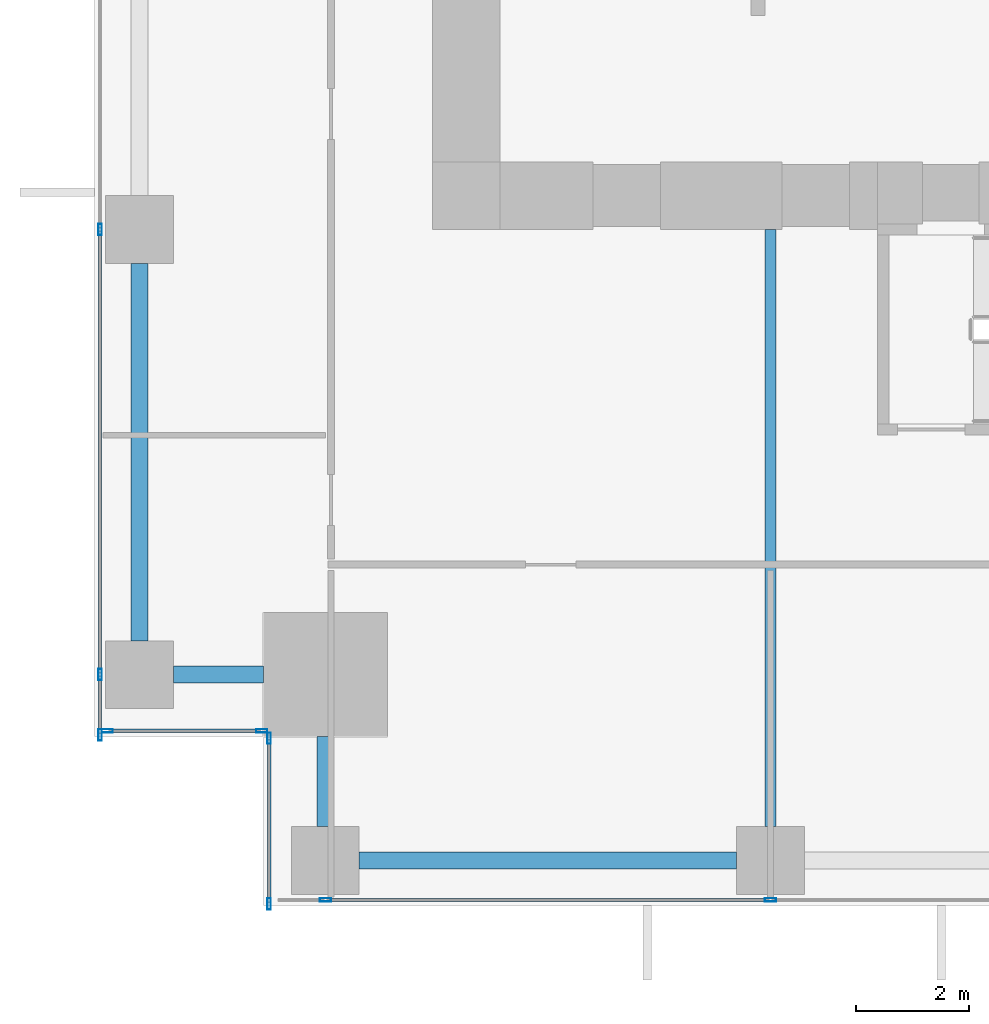
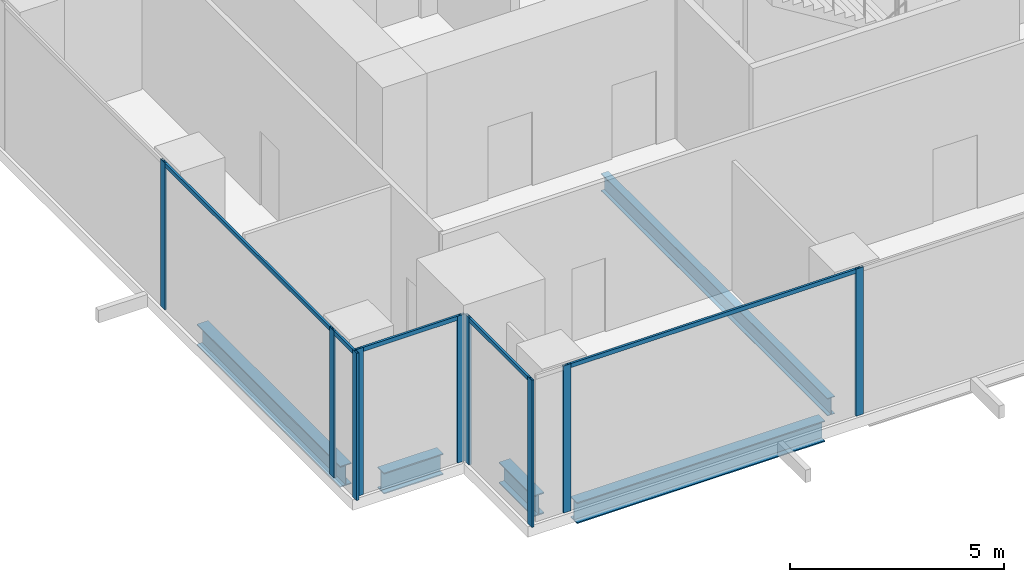
# One storey, part 2 of 32: 14 members, 5 beams, 4 elements without a shape of their own.
"""IFC4 building model written with IfcOpenShell, lengths in metres."""

from ifc_helpers import new_model, si_unit, direction, frame, origin, origin_2d, place, context, subcontext, project, spatial, hollow_rectangle, i_section, extrude, source, transform, mapped, material, material_profile, profile_set, type_object, element, aggregate, save


model = new_model("IFC4")

# Units and contexts
model_context = context("Model", 3, precision=1e-05, world=origin(), true_north=direction((0.0, 1.0)))
body_context = subcontext(model_context, "Body", "Model", "MODEL_VIEW")
ifc_project = project(units=[si_unit("LENGTHUNIT", "METRE"), si_unit("AREAUNIT", "SQUARE_METRE"), si_unit("VOLUMEUNIT", "CUBIC_METRE"), si_unit("PLANEANGLEUNIT", "RADIAN"), si_unit("MASSUNIT", "GRAM", prefix="KILO")], contexts=[model_context])

# Site, building, storey
site_placement = place(None, origin())
site = spatial("IfcSite", under=ifc_project, at=site_placement, CompositionType="ELEMENT")
building_placement = place(site_placement, origin())
building = spatial("IfcBuilding", under=site, at=building_placement, Name="Khomas Fold Tower", CompositionType="ELEMENT")
storey_placement = place(building_placement, frame((0.0, 0.0, 42.0)))
storey = spatial("IfcBuildingStorey", under=building, at=storey_placement, Name="L08", CompositionType="ELEMENT", Elevation=42.0)

# Beams
ifc_material_1 = material(Name="Steel S355", Category="steel")
ifc_material_profile_1 = material_profile(ifc_material_1, i_section(OverallWidth=0.199951171875, OverallDepth=0.5, WebThickness=0.01025390625, FlangeThickness=0.01611328125, at=origin_2d()), Name="IPE 500")
ifc_profile_set_1 = profile_set([ifc_material_profile_1], Name="Steel S355")
beam_type_1 = type_object("IfcBeamType", Name="IPE 500 beam JB5", PredefinedType="BEAM", material=ifc_profile_set_1)
shared_shape_1 = source(origin(), body_context, "Body", "SweptSolid", [
    extrude(i_section(OverallWidth=0.199951171875, OverallDepth=0.5, WebThickness=0.01025390625, FlangeThickness=0.01611328125, at=origin_2d()), origin(), (0.0, 0.0, 1.0), 10.60009765625),
])
beam_placement = place(storey_placement, frame((12.0, 1.39990234375, -0.550048828125), z_axis=(0.0, 1.0, 0.0), x_axis=(-1.0, 0.0, 0.0)))
element("IfcBeam", 1, at=beam_placement, inside=storey, type_object=beam_type_1, Name="JB5", PredefinedType="BEAM", context=body_context, shape_type="MappedRepresentation", body=[
    mapped(shared_shape_1, transform((0.0, 0.0, 0.0))),
])
ifc_material_2 = material(Name="Steel S355", Category="steel")
ifc_material_profile_2 = material_profile(ifc_material_2, i_section(OverallWidth=0.300048828125, OverallDepth=0.60009765625, WebThickness=0.015380859375, FlangeThickness=0.030029296875, at=origin_2d()), Name="HE 600 B")
ifc_profile_set_2 = profile_set([ifc_material_profile_2], Name="Steel S355")
beam_type_2 = type_object("IfcBeamType", Name="HE 600 B spandrel SB1", PredefinedType="SPANDREL", material=ifc_profile_set_2)
shared_shape_2 = source(origin(), body_context, "Body", "SweptSolid", [
    extrude(i_section(OverallWidth=0.300048828125, OverallDepth=0.60009765625, WebThickness=0.015380859375, FlangeThickness=0.030029296875, at=origin_2d()), origin(), (0.0, 0.0, 1.0), 6.699951171875),
])
for number, where, z_axis, x_axis, name in (
    (2, (4.699951171875, 0.800048828125, -0.60009765625), (1.0, 0.0, 0.0), (0.0, 1.0, 0.0), "SB1"),
    (3, (0.800048828125, 4.699951171875, -0.60009765625), (0.0, 1.0, 0.0), (-1.0, 0.0, 0.0), "SB1"),
):
    element("IfcBeam", number, at=place(storey_placement, frame(where, z_axis=z_axis, x_axis=x_axis)), inside=storey, type_object=beam_type_2, Name=name, PredefinedType="SPANDREL", context=body_context, shape_type="MappedRepresentation", body=[
        mapped(shared_shape_2, transform((0.0, 0.0, 0.0))),
    ])
shared_shape_3 = source(origin(), body_context, "Body", "SweptSolid", [
    extrude(i_section(OverallWidth=0.300048828125, OverallDepth=0.60009765625, WebThickness=0.015380859375, FlangeThickness=0.030029296875, at=origin_2d()), origin(), (0.0, 0.0, 1.0), 1.60009765625),
])
for number, where, z_axis, x_axis, name in (
    (4, (1.39990234375, 4.10009765625, -0.60009765625), (1.0, 0.0, 0.0), (0.0, 1.0, 0.0), "SB1"),
    (5, (4.10009765625, 1.39990234375, -0.60009765625), (0.0, 1.0, 0.0), (-1.0, 0.0, 0.0), "SB1"),
):
    element("IfcBeam", number, at=place(storey_placement, frame(where, z_axis=z_axis, x_axis=x_axis)), inside=storey, type_object=beam_type_2, Name=name, PredefinedType="SPANDREL", context=body_context, shape_type="MappedRepresentation", body=[
        mapped(shared_shape_3, transform((0.0, 0.0, 0.0))),
    ])

# Curtain wall, member
ifc_material_3 = material(Name="Aluminium framed double glazing", Category="aluminium")
curtain_wall_type = type_object("IfcCurtainWallType", Name="SK-Unitised clear-glass wall, growing floors CW1", PredefinedType="NOTDEFINED", material=ifc_material_3)
curtain_wall_1_placement = place(storey_placement, origin())
curtain_wall_1 = element("IfcCurtainWall", 6, at=curtain_wall_1_placement, inside=storey, type_object=curtain_wall_type, Name="CW1 run L08 00-0", PredefinedType="NOTDEFINED")
ifc_material_4 = material(Name="Aluminium", Category="aluminium")
ifc_material_profile_3 = material_profile(ifc_material_4, hollow_rectangle(XDim=0.06005859375, YDim=0.1201171875, WallThickness=0.00390625, at=origin_2d()), Name="SK-Unitised clear-glass wall, growing floors transom CW1-T")
ifc_profile_set_3 = profile_set([ifc_material_profile_3], Name="Aluminium")
member_type_1 = type_object("IfcMemberType", Name="SK-Unitised clear-glass wall, growing floors transom CW1-T", PredefinedType="USERDEFINED", material=ifc_profile_set_3)
shared_shape_4 = source(origin(), body_context, "Body", "SweptSolid", [
    extrude(hollow_rectangle(XDim=0.06005859375, YDim=0.1201171875, WallThickness=0.00390625, at=origin_2d()), origin(), (0.0, 0.0, 1.0), 7.840087890625),
])
member_1_placement = place(storey_placement, frame((4.1298828125, 0.10009765625, 4.139892578125), z_axis=(1.0, 0.0, 0.0), x_axis=(0.0, 1.0, 0.0)))
member_1 = element("IfcMember", 7, at=member_1_placement, type_object=member_type_1, Name="CW1 transom 2", ObjectType="TRANSOM", PredefinedType="USERDEFINED", context=body_context, shape_type="MappedRepresentation", body=[
    mapped(shared_shape_4, transform((0.0, 0.0, 0.0))),
])

# Curtain wall, members
curtain_wall_2_placement = place(storey_placement, origin())
curtain_wall_2 = element("IfcCurtainWall", 8, at=curtain_wall_2_placement, inside=storey, type_object=curtain_wall_type, Name="CW1 run L08 09-0", PredefinedType="NOTDEFINED")
member_2_placement = place(storey_placement, frame((0.10009765625, 11.969970703125, 4.139892578125), z_axis=(0.0, -1.0, 0.0), x_axis=(1.0, 0.0, 0.0)))
member_2 = element("IfcMember", 9, at=member_2_placement, type_object=member_type_1, Name="CW1 transom 7", ObjectType="TRANSOM", PredefinedType="USERDEFINED", context=body_context, shape_type="MappedRepresentation", body=[
    mapped(shared_shape_4, transform((0.0, 0.0, 0.0))),
])
shared_shape_5 = source(origin(), body_context, "Body", "SweptSolid", [
    extrude(hollow_rectangle(XDim=0.06005859375, YDim=0.1201171875, WallThickness=0.00390625, at=origin_2d()), origin(), (0.0, 0.0, 1.0), 1.010009765625),
])
member_3_placement = place(storey_placement, frame((0.10009765625, 4.070068359375, 4.139892578125), z_axis=(0.0, -1.0, 0.0), x_axis=(1.0, 0.0, 0.0)))
member_3 = element("IfcMember", 10, at=member_3_placement, type_object=member_type_1, Name="CW1 transom 8", ObjectType="TRANSOM", PredefinedType="USERDEFINED", context=body_context, shape_type="MappedRepresentation", body=[
    mapped(shared_shape_5, transform((0.0, 0.0, 0.0))),
])

# Curtain wall, member
curtain_wall_3_placement = place(storey_placement, origin())
curtain_wall_3 = element("IfcCurtainWall", 11, at=curtain_wall_3_placement, inside=storey, type_object=curtain_wall_type, Name="CW1 corner return L08 10", PredefinedType="NOTDEFINED")
shared_shape_6 = source(origin(), body_context, "Body", "SweptSolid", [
    extrude(hollow_rectangle(XDim=0.06005859375, YDim=0.1201171875, WallThickness=0.00390625, at=origin_2d()), origin(), (0.0, 0.0, 1.0), 2.679931640625),
])
member_4_placement = place(storey_placement, frame((0.260009765625, 3.10009765625, 4.139892578125), z_axis=(1.0, 0.0, 0.0), x_axis=(0.0, 1.0, 0.0)))
member_4 = element("IfcMember", 12, at=member_4_placement, type_object=member_type_1, Name="CW1 transom 1", ObjectType="TRANSOM", PredefinedType="USERDEFINED", context=body_context, shape_type="MappedRepresentation", body=[
    mapped(shared_shape_6, transform((0.0, 0.0, 0.0))),
])

curtain_wall_4_placement = place(storey_placement, origin())
curtain_wall_4 = element("IfcCurtainWall", 13, at=curtain_wall_4_placement, inside=storey, type_object=curtain_wall_type, Name="CW1 corner return L08 11", PredefinedType="NOTDEFINED")
shared_shape_7 = source(origin(), body_context, "Body", "SweptSolid", [
    extrude(hollow_rectangle(XDim=0.06005859375, YDim=0.1201171875, WallThickness=0.00390625, at=origin_2d()), origin(), (0.0, 0.0, 1.0), 2.8798828125),
])
member_5_placement = place(storey_placement, frame((3.10009765625, 2.93994140625, 4.139892578125), z_axis=(0.0, -1.0, 0.0), x_axis=(1.0, 0.0, 0.0)))
member_5 = element("IfcMember", 14, at=member_5_placement, type_object=member_type_1, Name="CW1 transom 1", ObjectType="TRANSOM", PredefinedType="USERDEFINED", context=body_context, shape_type="MappedRepresentation", body=[
    mapped(shared_shape_7, transform((0.0, 0.0, 0.0))),
])

# Member
ifc_material_5 = material(Name="Aluminium", Category="aluminium")
ifc_material_profile_4 = material_profile(ifc_material_5, hollow_rectangle(XDim=0.06005859375, YDim=0.199951171875, WallThickness=0.00390625, at=origin_2d()), Name="SK-Unitised clear-glass wall, growing floors mullion CW1-M")
ifc_profile_set_4 = profile_set([ifc_material_profile_4], Name="Aluminium")
member_type_2 = type_object("IfcMemberType", Name="SK-Unitised clear-glass wall, growing floors mullion CW1-M", PredefinedType="MULLION", material=ifc_profile_set_4)
shared_shape_8 = source(origin(), body_context, "Body", "SweptSolid", [
    extrude(hollow_rectangle(XDim=0.06005859375, YDim=0.199951171875, WallThickness=0.00390625, at=origin_2d()), origin(), (0.0, 0.0, 1.0), 4.199951171875),
])
member_6_placement = place(storey_placement, frame((4.10009765625, 0.10009765625, 0.0), z_axis=(0.0, 0.0, 1.0), x_axis=(0.0, 1.0, 0.0)))
member_6 = element("IfcMember", 15, at=member_6_placement, type_object=member_type_2, Name="CW1 mullion 2", PredefinedType="MULLION", context=body_context, shape_type="MappedRepresentation", body=[
    mapped(shared_shape_8, transform((0.0, 0.0, 0.0))),
])

member_7_placement = place(storey_placement, frame((12.0, 0.10009765625, 0.0), z_axis=(0.0, 0.0, 1.0), x_axis=(0.0, 1.0, 0.0)))
member_7 = element("IfcMember", 16, at=member_7_placement, type_object=member_type_2, Name="CW1 mullion 3", PredefinedType="MULLION", context=body_context, shape_type="MappedRepresentation", body=[
    mapped(shared_shape_8, transform((0.0, 0.0, 0.0))),
])

aggregate(curtain_wall_1, [member_6, member_7, member_1])

member_8_placement = place(storey_placement, frame((0.10009765625, 12.0, 0.0), z_axis=(0.0, 0.0, 1.0), x_axis=(1.0, 0.0, 0.0)))
member_8 = element("IfcMember", 17, at=member_8_placement, type_object=member_type_2, Name="CW1 mullion 7", PredefinedType="MULLION", context=body_context, shape_type="MappedRepresentation", body=[
    mapped(shared_shape_8, transform((0.0, 0.0, 0.0))),
])

member_9_placement = place(storey_placement, frame((0.10009765625, 4.10009765625, 0.0), z_axis=(0.0, 0.0, 1.0), x_axis=(1.0, 0.0, 0.0)))
member_9 = element("IfcMember", 18, at=member_9_placement, type_object=member_type_2, Name="CW1 mullion 8", PredefinedType="MULLION", context=body_context, shape_type="MappedRepresentation", body=[
    mapped(shared_shape_8, transform((0.0, 0.0, 0.0))),
])

member_10_placement = place(storey_placement, frame((0.10009765625, 3.030029296875, 0.0), z_axis=(0.0, 0.0, 1.0), x_axis=(1.0, 0.0, 0.0)))
member_10 = element("IfcMember", 19, at=member_10_placement, type_object=member_type_2, Name="CW1 mullion 9", PredefinedType="MULLION", context=body_context, shape_type="MappedRepresentation", body=[
    mapped(shared_shape_8, transform((0.0, 0.0, 0.0))),
])

aggregate(curtain_wall_2, [member_8, member_9, member_10, member_2, member_3])

member_11_placement = place(storey_placement, frame((0.22998046875, 3.10009765625, 0.0), z_axis=(0.0, 0.0, 1.0), x_axis=(0.0, 1.0, 0.0)))
member_11 = element("IfcMember", 20, at=member_11_placement, type_object=member_type_2, Name="CW1 mullion 1", PredefinedType="MULLION", context=body_context, shape_type="MappedRepresentation", body=[
    mapped(shared_shape_8, transform((0.0, 0.0, 0.0))),
])

member_12_placement = place(storey_placement, frame((2.969970703125, 3.10009765625, 0.0), z_axis=(0.0, 0.0, 1.0), x_axis=(0.0, 1.0, 0.0)))
member_12 = element("IfcMember", 21, at=member_12_placement, type_object=member_type_2, Name="CW1 mullion 2", PredefinedType="MULLION", context=body_context, shape_type="MappedRepresentation", body=[
    mapped(shared_shape_8, transform((0.0, 0.0, 0.0))),
])

aggregate(curtain_wall_3, [member_11, member_12, member_4])

member_13_placement = place(storey_placement, frame((3.10009765625, 2.969970703125, 0.0), z_axis=(0.0, 0.0, 1.0), x_axis=(1.0, 0.0, 0.0)))
member_13 = element("IfcMember", 22, at=member_13_placement, type_object=member_type_2, Name="CW1 mullion 1", PredefinedType="MULLION", context=body_context, shape_type="MappedRepresentation", body=[
    mapped(shared_shape_8, transform((0.0, 0.0, 0.0))),
])

member_14_placement = place(storey_placement, frame((3.10009765625, 0.030029296875, 0.0), z_axis=(0.0, 0.0, 1.0), x_axis=(1.0, 0.0, 0.0)))
member_14 = element("IfcMember", 23, at=member_14_placement, type_object=member_type_2, Name="CW1 mullion 2", PredefinedType="MULLION", context=body_context, shape_type="MappedRepresentation", body=[
    mapped(shared_shape_8, transform((0.0, 0.0, 0.0))),
])

aggregate(curtain_wall_4, [member_13, member_14, member_5])

save(model, "model.ifc")
